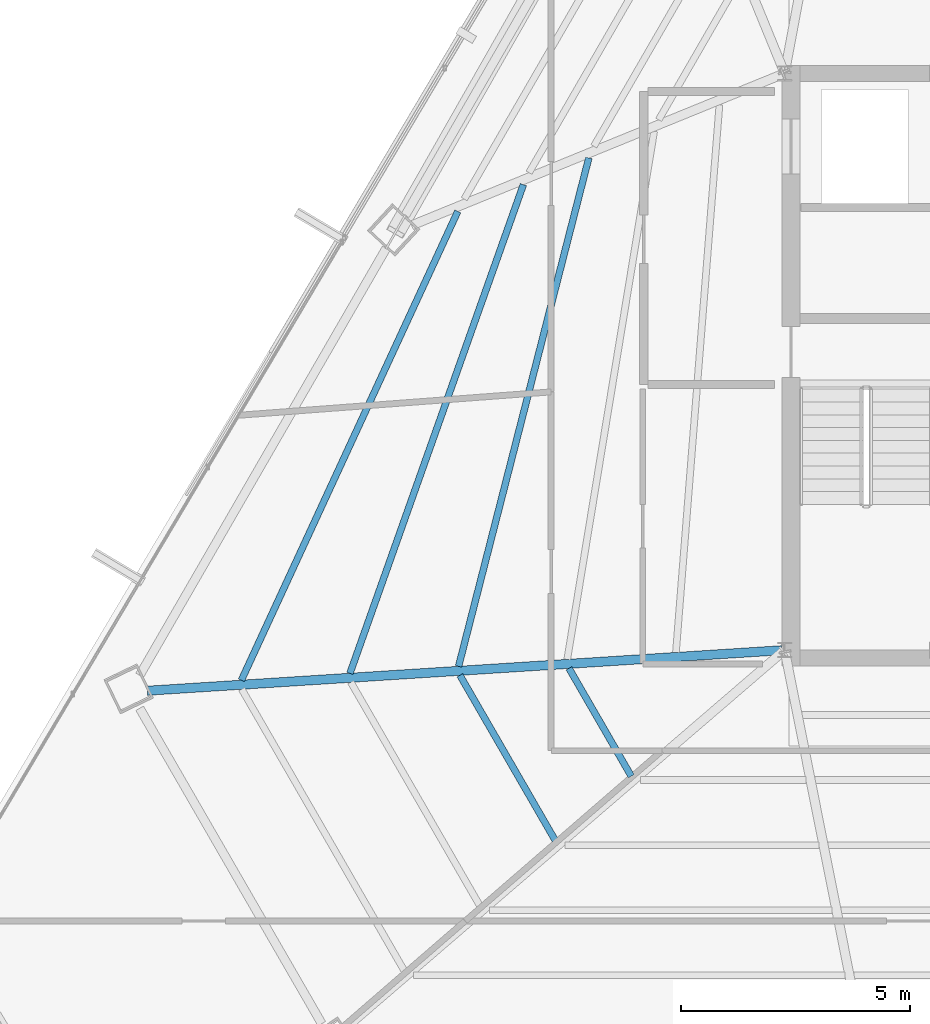
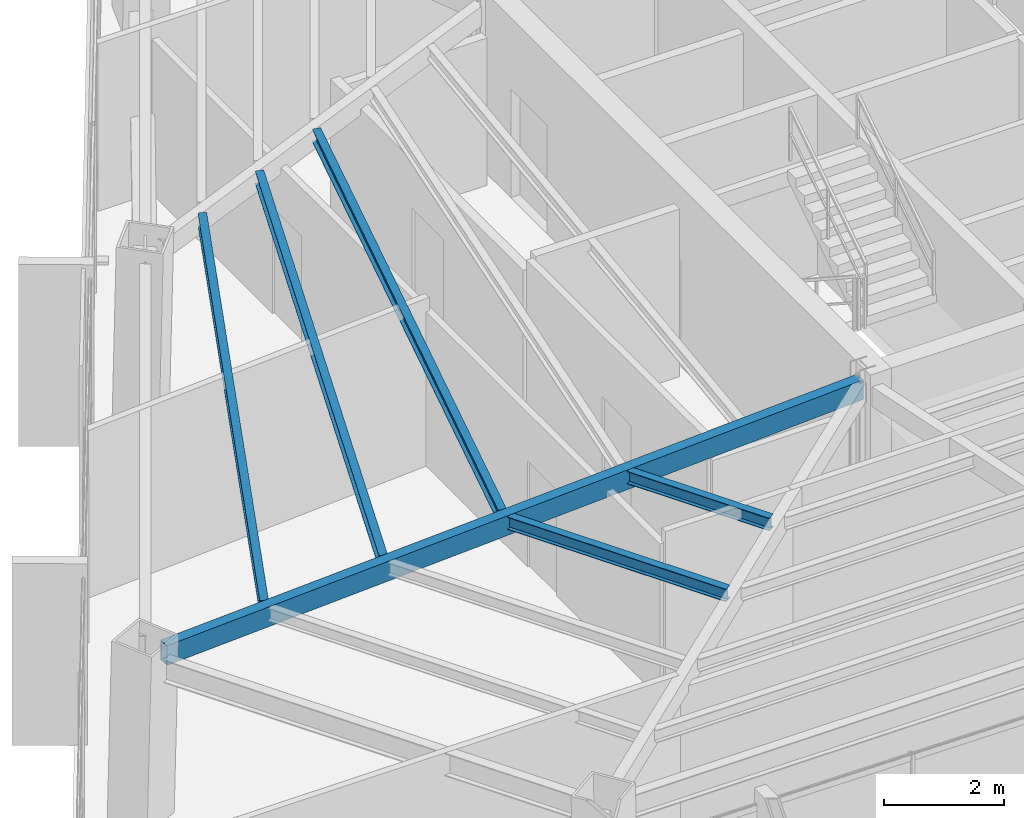
# One storey, part 11 of 47: 6 beams.
"""IFC4 building model written with IfcOpenShell, lengths in metres."""

import ifcopenshell
import ifcopenshell.guid

model = None  # the IFC model being written
_history = None  # IfcOwnerHistory: only IFC2X3 demands one
_inside = {}  # id of a spatial element -> (the spatial element, [elements in it])
_under = {}  # id of a project, library or spatial element -> (it, [spatial elements below it])
_declared = {}  # id of a project -> (the project, [libraries it declares])
_typed = {}  # id of a type object -> (the type object, [elements of that type])
_made_of = {}  # id of a material, layer set ... -> (it, [elements and type objects made of it])


def new_model(schema):
    """Start an empty IFC model of exactly this schema.

    Asked for "IFC4X3", IfcOpenShell would pick the latest addendum, in which some entities
    have other attributes; the version numbers below select the first issue.
    IFC2X3 requires an IfcOwnerHistory on every rooted entity: one is made here for all.
    """
    global model, _history
    if schema == "IFC4X3":
        model = ifcopenshell.file(schema_version=(4, 3, 0, 0))
    else:
        model = ifcopenshell.file(schema=schema)
    _inside.clear()
    _under.clear()
    _declared.clear()
    _typed.clear()
    _made_of.clear()
    _history = None
    if model.schema == "IFC2X3":
        org = make("IfcOrganization", Name="unknown")
        user = make(
            "IfcPersonAndOrganization",
            ThePerson=make("IfcPerson", FamilyName="unknown"),
            TheOrganization=org,
        )
        app = make(
            "IfcApplication",
            ApplicationDeveloper=org,
            Version="unknown",
            ApplicationFullName="unknown",
            ApplicationIdentifier="unknown",
        )
        _history = make(
            "IfcOwnerHistory",
            OwningUser=user,
            OwningApplication=app,
            ChangeAction="ADDED",
            CreationDate=0,
        )
    return model


def make(cls, **values):
    """One entity of the class cls with the attributes given. An attribute that is None is left unset."""
    return model.create_entity(
        cls, **{name: value for name, value in values.items() if value is not None}
    )


def rooted(cls, **values):
    """An entity with a GlobalId (a new one), such as an element, a storey or a relation."""
    return make(cls, GlobalId=ifcopenshell.guid.new(), OwnerHistory=_history, **values)


def si_unit(unit_type, name, prefix=None):
    """IfcSIUnit, for example si_unit("LENGTHUNIT", "METRE", prefix="MILLI")."""
    return make("IfcSIUnit", UnitType=unit_type, Prefix=prefix, Name=name)


def assignment(units):
    """IfcUnitAssignment: the units of a project."""
    return None if units is None else make("IfcUnitAssignment", Units=units)


def point(xyz):
    """IfcCartesianPoint."""
    return None if xyz is None else make("IfcCartesianPoint", Coordinates=xyz)


def direction(xyz):
    """IfcDirection."""
    return None if xyz is None else make("IfcDirection", DirectionRatios=xyz)


def frame(location, z_axis=None, x_axis=None):
    """IfcAxis2Placement3D, a coordinate frame: its origin and axes. An axis left out is left unset."""
    return make(
        "IfcAxis2Placement3D",
        Location=point(location),
        Axis=direction(z_axis),
        RefDirection=direction(x_axis),
    )


def frame_2d(location, x_axis=None):
    """IfcAxis2Placement2D, a coordinate frame in the plane: its origin and x axis."""
    return make(
        "IfcAxis2Placement2D", Location=point(location), RefDirection=direction(x_axis)
    )


def origin():
    """The frame at (0, 0, 0) with its axes left unset."""
    return frame((0.0, 0.0, 0.0))


def origin_2d():
    """The frame at (0, 0) in the plane with its x axis left unset."""
    return frame_2d((0.0, 0.0))


def place(relative_to, where):
    """IfcLocalPlacement: puts the frame where relative to a parent placement (None: the world)."""
    return make(
        "IfcLocalPlacement", PlacementRelTo=relative_to, RelativePlacement=where
    )


def context(
    kind, dimensions, precision=None, world=None, true_north=None, identifier=None
):
    """IfcGeometricRepresentationContext, for example the 3D "Model" context."""
    return make(
        "IfcGeometricRepresentationContext",
        ContextIdentifier=identifier,
        ContextType=kind,
        CoordinateSpaceDimension=dimensions,
        Precision=precision,
        WorldCoordinateSystem=world,
        TrueNorth=true_north,
    )


def subcontext(parent, identifier, kind, view, scale=None):
    """IfcGeometricRepresentationSubContext, for example "Body" below "Model"."""
    return make(
        "IfcGeometricRepresentationSubContext",
        ContextIdentifier=identifier,
        ContextType=kind,
        ParentContext=parent,
        TargetScale=scale,
        TargetView=view,
    )


def project(units=None, contexts=None):
    """IfcProject with its units and contexts."""
    return rooted(
        "IfcProject",
        Name="project",
        RepresentationContexts=contexts,
        UnitsInContext=assignment(units),
    )


def spatial(cls, under=None, at=None, **own):
    """A site, building, storey or space (cls), placed at a placement, below another one or the project."""
    s = rooted(cls, ObjectPlacement=at, **own)
    if under is not None:
        _under.setdefault(under.id(), (under, []))[1].append(s)
    return s


def profile(cls, at=None, kind="AREA", **sizes):
    """A parametric profile (cls). Its sizes go by their IFC names, for example OverallWidth=200.0."""
    return make(cls, ProfileType=kind, Position=at, **sizes)


def hollow_rectangle(**sizes):
    """IfcRectangleHollowProfileDef."""
    return profile("IfcRectangleHollowProfileDef", **sizes)


def i_section(**sizes):
    """IfcIShapeProfileDef."""
    return profile("IfcIShapeProfileDef", **sizes)


def extrude(swept, where, along, depth):
    """IfcExtrudedAreaSolid: the profile swept, set in the frame where, extruded along a direction by depth."""
    return make(
        "IfcExtrudedAreaSolid",
        SweptArea=swept,
        Position=where,
        ExtrudedDirection=direction(along),
        Depth=depth,
    )


def shape(context_of_items, identifier, shape_type, items):
    """IfcShapeRepresentation: the items that make up one representation, for example the "Body"."""
    return make(
        "IfcShapeRepresentation",
        ContextOfItems=context_of_items,
        RepresentationIdentifier=identifier,
        RepresentationType=shape_type,
        Items=items,
    )


def source(mapping_origin, context_of_items, identifier, shape_type, items):
    """IfcRepresentationMap: a shape defined once, which mapped items show again and again."""
    return make(
        "IfcRepresentationMap",
        MappingOrigin=mapping_origin,
        MappedRepresentation=shape(context_of_items, identifier, shape_type, items),
    )


def transform(
    local_origin,
    x_axis=None,
    y_axis=None,
    z_axis=None,
    scale=None,
    scale2=None,
    scale3=None,
    uniform=True,
):
    """IfcCartesianTransformationOperator3D, or its non-uniform kind. x_axis, y_axis, z_axis: its Axis1, 2, 3."""
    if uniform:
        return make(
            "IfcCartesianTransformationOperator3D",
            Axis1=direction(x_axis),
            Axis2=direction(y_axis),
            LocalOrigin=point(local_origin),
            Scale=scale,
            Axis3=direction(z_axis),
        )
    return make(
        "IfcCartesianTransformationOperator3DnonUniform",
        Axis1=direction(x_axis),
        Axis2=direction(y_axis),
        LocalOrigin=point(local_origin),
        Scale=scale,
        Axis3=direction(z_axis),
        Scale2=scale2,
        Scale3=scale3,
    )


def mapped(mapping_source, mapping_target):
    """IfcMappedItem: shows the shape of a source again, moved by a transform."""
    return make(
        "IfcMappedItem", MappingSource=mapping_source, MappingTarget=mapping_target
    )


def material(Name=None, Category=None):
    """IfcMaterial."""
    return make("IfcMaterial", Name=Name, Category=Category)


def material_profile(
    of_material, cross_section, Name=None, Category=None, Priority=None
):
    """IfcMaterialProfile: a cross section and its material."""
    return make(
        "IfcMaterialProfile",
        Name=Name,
        Material=of_material,
        Profile=cross_section,
        Priority=Priority,
        Category=Category,
    )


def profile_set(profiles, Name=None, composite=None):
    """IfcMaterialProfileSet."""
    return make(
        "IfcMaterialProfileSet",
        Name=Name,
        MaterialProfiles=profiles,
        CompositeProfile=composite,
    )


def made_of(thing, what):
    """Note that an element or type object is made of a material, layer set ...; save() writes the relation."""
    if what is not None:
        _made_of.setdefault(what.id(), (what, []))[1].append(thing)
    return thing


def type_object(cls, material=None, **own):
    """A type object (cls), such as IfcWallType, which elements share."""
    return made_of(rooted(cls, **own), material)


def type_shapes(of_type, sources):
    """Give a type object the sources (RepresentationMaps) that its elements show as mapped items."""
    of_type.RepresentationMaps = sources


def element(
    cls,
    number,
    at=None,
    inside=None,
    cuts=None,
    type_object=None,
    material=None,
    context=None,
    identifier="Body",
    shape_type=None,
    held_by="IfcProductDefinitionShape",
    body=None,
    shapes=None,
    **own,
):
    """One element of the class cls, such as IfcWall. Its Tag is "e" and its number.

    at: its placement. inside: the storey or other place that contains it. cuts: it is an
    opening in that element (IfcRelVoidsElement). A single representation is given by context,
    identifier, shape_type and body (its items); several are given by shapes. held_by: the class
    of the entity that holds the representations. save() writes the other relations.
    """
    e = rooted(cls, Tag="e%d" % number, ObjectPlacement=at, **own)
    if body is not None:
        shapes = [shape(context, identifier, shape_type, body)]
    if shapes is not None:
        e.Representation = make(held_by, Representations=shapes)
    if inside is not None:
        _inside.setdefault(inside.id(), (inside, []))[1].append(e)
    if cuts is not None:
        rooted(
            "IfcRelVoidsElement", RelatingBuildingElement=cuts, RelatedOpeningElement=e
        )
    if type_object is not None:
        _typed.setdefault(type_object.id(), (type_object, []))[1].append(e)
    return made_of(e, material)


def aggregate(whole, parts):
    """IfcRelAggregates: a whole, such as a stair, and the parts it consists of."""
    return rooted("IfcRelAggregates", RelatingObject=whole, RelatedObjects=parts)


def save(model, path):
    """Write the relations noted so far, then the file.

    IfcRelAggregates (storeys below a building ...), IfcRelContainedInSpatialStructure (elements
    in a storey), IfcRelDefinesByType, IfcRelAssociatesMaterial and IfcRelDeclares: one each for
    every whole, place, type object, material and project.
    """
    for whole, parts in _under.values():
        aggregate(whole, parts)
    for where, things in _inside.values():
        rooted(
            "IfcRelContainedInSpatialStructure",
            RelatedElements=things,
            RelatingStructure=where,
        )
    for kind, things in _typed.values():
        rooted("IfcRelDefinesByType", RelatedObjects=things, RelatingType=kind)
    for what, things in _made_of.values():
        rooted("IfcRelAssociatesMaterial", RelatedObjects=things, RelatingMaterial=what)
    for by, libraries in _declared.values():
        rooted("IfcRelDeclares", RelatingContext=by, RelatedDefinitions=libraries)
    model.write(path)


model = new_model("IFC4")

# Units and contexts
model_context = context("Model", 3, precision=1e-05, world=origin(), true_north=direction((0.0, 1.0)))
body_context = subcontext(model_context, "Body", "Model", "MODEL_VIEW")
ifc_project = project(units=[si_unit("LENGTHUNIT", "METRE"), si_unit("AREAUNIT", "SQUARE_METRE"), si_unit("VOLUMEUNIT", "CUBIC_METRE"), si_unit("PLANEANGLEUNIT", "RADIAN"), si_unit("MASSUNIT", "GRAM", prefix="KILO")], contexts=[model_context])

# Site, building, storey
site_placement = place(None, origin())
site = spatial("IfcSite", under=ifc_project, at=site_placement, CompositionType="ELEMENT")
building_placement = place(site_placement, origin())
building = spatial("IfcBuilding", under=site, at=building_placement, Name="Caelisora Broadcast Tower", CompositionType="ELEMENT")
storey_placement = place(building_placement, frame((0.0, 0.0, 229.85009765625)))
storey = spatial("IfcBuildingStorey", under=building, at=storey_placement, Name="L60", CompositionType="ELEMENT", Elevation=229.85009765625)

# Beams
ifc_material_1 = material(Name="Steel Grade 350 (AS/NZS 1163 C350L0)", Category="steel")
ifc_material_profile_1 = material_profile(ifc_material_1, hollow_rectangle(XDim=0.199951171875, YDim=0.39990234375, WallThickness=0.012451171875, at=origin_2d()), Name="Steel Grade 350 (AS/NZS 1163 C350L0)")
ifc_profile_set_1 = profile_set([ifc_material_profile_1], Name="Steel Grade 350 (AS/NZS 1163 C350L0)")
beam_type_1 = type_object("IfcBeamType", Name="PG07", PredefinedType="BEAM", material=ifc_profile_set_1)
shared_shape_1 = source(origin(), body_context, "Body", "SweptSolid", [
    extrude(hollow_rectangle(XDim=0.199951171875, YDim=0.39990234375, WallThickness=0.012451171875, at=origin_2d()), origin(), (0.0, 0.0, 1.0), 13.891845703125),
])
type_shapes(beam_type_1, [shared_shape_1])
beam_1_placement = place(storey_placement, frame((30.440185546875, 17.396240234375, 3.199951171875), z_axis=(-0.997968607421, -0.063707602393, 0.0), x_axis=(0.063707602393, -0.997968607421, 0.0)))
element("IfcBeam", 1, at=beam_1_placement, inside=storey, type_object=beam_type_1, Name="L60 beam PG07", PredefinedType="BEAM", context=body_context, shape_type="MappedRepresentation", body=[
    mapped(shared_shape_1, transform((0.0, 0.0, 0.0), scale=1.0)),
])
ifc_material_2 = material(Name="Steel Grade 350 (AS/NZS 3679.1)", Category="steel")
ifc_material_profile_2 = material_profile(ifc_material_2, i_section(OverallWidth=0.14599609375, OverallDepth=0.256103515625, WebThickness=0.00634765625, FlangeThickness=0.010986328125, at=origin_2d()), Name="Steel Grade 350 (AS/NZS 3679.1)")
ifc_profile_set_2 = profile_set([ifc_material_profile_2], Name="Steel Grade 350 (AS/NZS 3679.1)")
beam_type_2 = type_object("IfcBeamType", Name="SB04", PredefinedType="JOIST", material=ifc_profile_set_2)
shared_shape_2 = source(origin(), body_context, "Body", "SweptSolid", [
    extrude(i_section(OverallWidth=0.14599609375, OverallDepth=0.256103515625, WebThickness=0.00634765625, FlangeThickness=0.010986328125, at=origin_2d()), origin(), (0.0, 0.0, 1.0), 11.46630859375),
])
beam_2_placement = place(storey_placement, frame((26.221435546875, 28.150390625, 3.271728515625), z_axis=(-0.248137649335, -0.968724783921, 0.0), x_axis=(0.968724783921, -0.248137649335, 0.0)))
element("IfcBeam", 2, at=beam_2_placement, inside=storey, type_object=beam_type_2, Name="L60 beam SB04", PredefinedType="JOIST", context=body_context, shape_type="MappedRepresentation", body=[
    mapped(shared_shape_2, transform((0.0, 0.0, 0.0), scale=1.0)),
])
shared_shape_3 = source(origin(), body_context, "Body", "SweptSolid", [
    extrude(i_section(OverallWidth=0.14599609375, OverallDepth=0.256103515625, WebThickness=0.00634765625, FlangeThickness=0.010986328125, at=origin_2d()), origin(), (0.0, 0.0, 1.0), 11.32861328125),
])
beam_3_placement = place(storey_placement, frame((24.791748046875, 27.5673828125, 3.271728515625), z_axis=(-0.334427133651, -0.942421610681, 0.0), x_axis=(0.942421610681, -0.334427133651, 0.0)))
element("IfcBeam", 3, at=beam_3_placement, inside=storey, type_object=beam_type_2, Name="L60 beam SB04", PredefinedType="JOIST", context=body_context, shape_type="MappedRepresentation", body=[
    mapped(shared_shape_3, transform((0.0, 0.0, 0.0), scale=1.0)),
])
shared_shape_4 = source(origin(), body_context, "Body", "SweptSolid", [
    extrude(i_section(OverallWidth=0.14599609375, OverallDepth=0.256103515625, WebThickness=0.00634765625, FlangeThickness=0.010986328125, at=origin_2d()), origin(), (0.0, 0.0, 1.0), 11.281982421875),
])
beam_4_placement = place(storey_placement, frame((23.359375, 26.9833984375, 3.271728515625), z_axis=(-0.419097973176, -0.90794101619, 0.0), x_axis=(0.90794101619, -0.419097973176, 0.0)))
element("IfcBeam", 4, at=beam_4_placement, inside=storey, type_object=beam_type_2, Name="L60 beam SB04", PredefinedType="JOIST", context=body_context, shape_type="MappedRepresentation", body=[
    mapped(shared_shape_4, transform((0.0, 0.0, 0.0), scale=1.0)),
])
shared_shape_5 = source(origin(), body_context, "Body", "SweptSolid", [
    extrude(i_section(OverallWidth=0.14599609375, OverallDepth=0.256103515625, WebThickness=0.00634765625, FlangeThickness=0.010986328125, at=origin_2d()), origin(), (0.0, 0.0, 1.0), 2.72119140625),
])
beam_5_placement = place(storey_placement, frame((25.7880859375, 17.001708984375, 3.271728515625), z_axis=(0.499989089435, -0.86603170291, 0.0), x_axis=(0.86603170291, 0.499989089435, 0.0)))
element("IfcBeam", 5, at=beam_5_placement, inside=storey, type_object=beam_type_2, Name="L60 beam SB04", PredefinedType="JOIST", context=body_context, shape_type="MappedRepresentation", body=[
    mapped(shared_shape_5, transform((0.0, 0.0, 0.0), scale=1.0)),
])
shared_shape_6 = source(origin(), body_context, "Body", "SweptSolid", [
    extrude(i_section(OverallWidth=0.14599609375, OverallDepth=0.256103515625, WebThickness=0.00634765625, FlangeThickness=0.010986328125, at=origin_2d()), origin(), (0.0, 0.0, 1.0), 4.185791015625),
])
type_shapes(beam_type_2, [shared_shape_2, shared_shape_3, shared_shape_4, shared_shape_5, shared_shape_6])
beam_6_placement = place(storey_placement, frame((23.405029296875, 16.849609375, 3.271728515625), z_axis=(0.499978267371, -0.86603795076, 0.0), x_axis=(0.86603795076, 0.499978267371, 0.0)))
element("IfcBeam", 6, at=beam_6_placement, inside=storey, type_object=beam_type_2, Name="L60 beam SB04", PredefinedType="JOIST", context=body_context, shape_type="MappedRepresentation", body=[
    mapped(shared_shape_6, transform((0.0, 0.0, 0.0), scale=1.0)),
])

save(model, "model.ifc")
